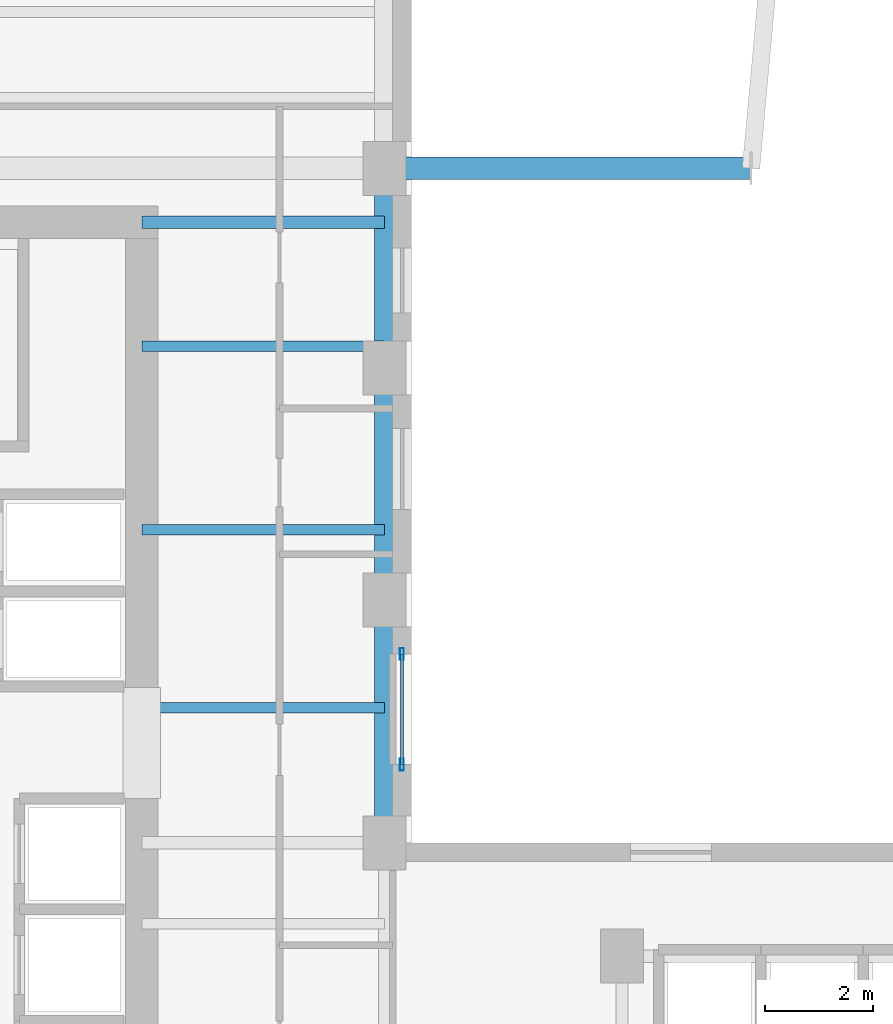
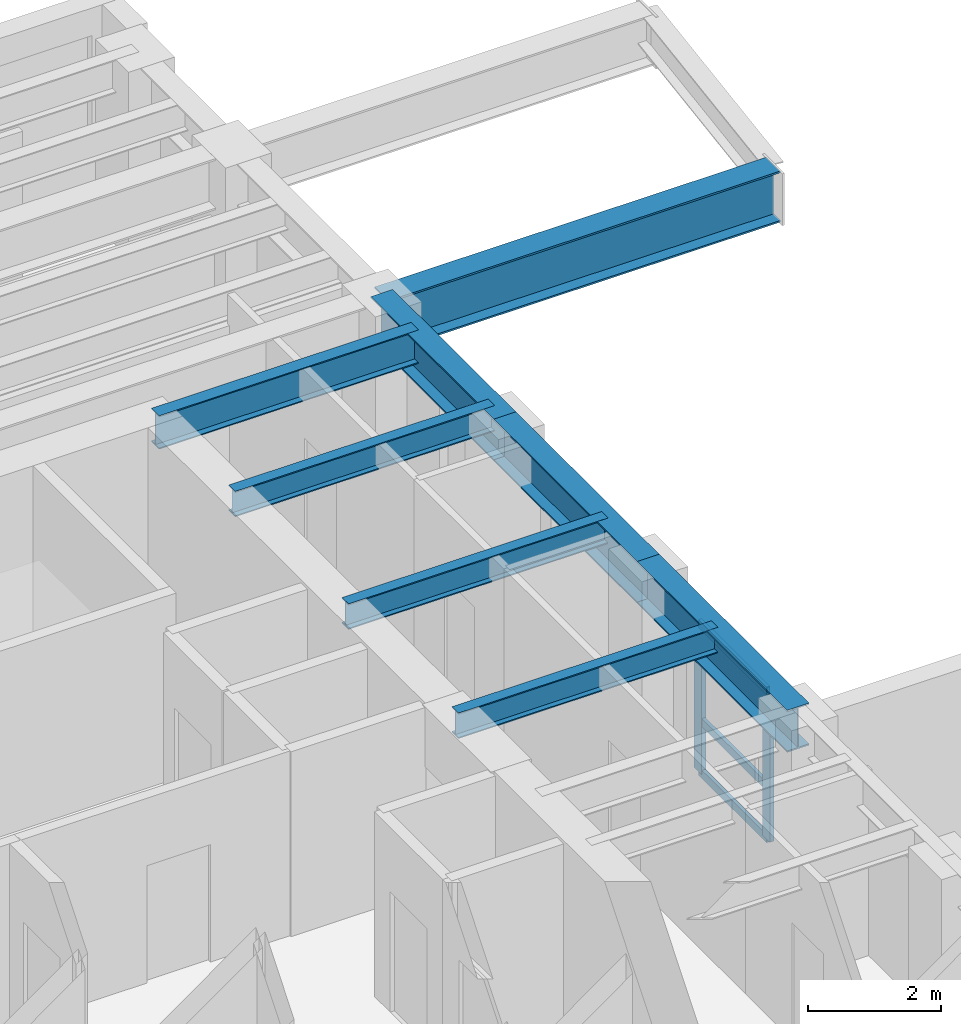
# One storey, part 2 of 14: 8 beams, 5 members, 1 element without a shape of its own.
"""IFC4 building model written with IfcOpenShell, lengths in metres."""

from ifc_helpers import new_model, si_unit, direction, frame, origin, origin_2d, place, context, subcontext, project, spatial, hollow_rectangle, i_section, extrude, source, transform, mapped, material, layer, layer_set, material_profile, profile_set, type_object, element, aggregate, save


model = new_model("IFC4")

# Units and contexts
model_context = context("Model", 3, precision=1e-05, world=origin(), true_north=direction((0.0, 1.0)))
body_context = subcontext(model_context, "Body", "Model", "MODEL_VIEW")
ifc_project = project(units=[si_unit("LENGTHUNIT", "METRE"), si_unit("AREAUNIT", "SQUARE_METRE"), si_unit("VOLUMEUNIT", "CUBIC_METRE"), si_unit("PLANEANGLEUNIT", "RADIAN"), si_unit("MASSUNIT", "GRAM", prefix="KILO")], contexts=[model_context])

# Site, building, storey
site_placement = place(None, origin())
site = spatial("IfcSite", under=ifc_project, at=site_placement, CompositionType="ELEMENT")
building_placement = place(site_placement, origin())
building = spatial("IfcBuilding", under=site, at=building_placement, Name="Kharzan Plaza Tower", CompositionType="ELEMENT")
storey_placement = place(building_placement, frame((0.0, 0.0, 168.300048828125)))
storey = spatial("IfcBuildingStorey", under=building, at=storey_placement, Name="L45", CompositionType="ELEMENT", Elevation=168.300048828125)

# Beams
ifc_material_1 = material(Name="Steel S355", Category="steel")
ifc_material_profile_1 = material_profile(ifc_material_1, i_section(OverallWidth=0.194091796875, OverallDepth=0.468994140625, WebThickness=0.011474609375, FlangeThickness=0.0205078125, at=origin_2d()), Name="W460x106")
ifc_profile_set_1 = profile_set([ifc_material_profile_1], Name="Steel S355")
beam_type_1 = type_object("IfcBeamType", Name="BM-JST460", PredefinedType="JOIST", material=ifc_profile_set_1)
shared_shape_1 = source(origin(), body_context, "Body", "SweptSolid", [
    extrude(i_section(OverallWidth=0.194091796875, OverallDepth=0.468994140625, WebThickness=0.011474609375, FlangeThickness=0.0205078125, at=origin_2d()), origin(), (0.0, 0.0, 1.0), 4.5),
])
for number, where, z_axis, x_axis, name in (
    (1, (14.5, 20.5, 3.16552734375), (1.0, 0.0, 0.0), (0.0, 1.0, 0.0), "L45 Wing A East Infill Joist 4"),
    (2, (14.5, 23.800048828125, 3.16552734375), (1.0, 0.0, 0.0), (0.0, 1.0, 0.0), "L45 Wing A East Infill Joist 5"),
    (3, (14.5, 27.199951171875, 3.16552734375), (1.0, 0.0, 0.0), (0.0, 1.0, 0.0), "L45 Wing A East Infill Joist 6"),
):
    element("IfcBeam", number, at=place(storey_placement, frame(where, z_axis=z_axis, x_axis=x_axis)), inside=storey, type_object=beam_type_1, Name=name, PredefinedType="JOIST", context=body_context, shape_type="MappedRepresentation", body=[
        mapped(shared_shape_1, transform((0.0, 0.0, 0.0), x_axis=(1.0, 0.0, 0.0), y_axis=(0.0, 1.0, 0.0), z_axis=(0.0, 0.0, 1.0))),
    ])
ifc_material_profile_2 = material_profile(ifc_material_1, i_section(OverallWidth=0.41796875, OverallDepth=0.93701171875, WebThickness=0.019287109375, FlangeThickness=0.031982421875, at=origin_2d()), Name="W920x342")
ifc_profile_set_2 = profile_set([ifc_material_profile_2], Name="Steel S355")
beam_type_2 = type_object("IfcBeamType", Name="BM-ZTG920", PredefinedType="BEAM", material=ifc_profile_set_2)
shared_shape_2 = source(origin(), body_context, "Body", "SweptSolid", [
    extrude(i_section(OverallWidth=0.41796875, OverallDepth=0.93701171875, WebThickness=0.019287109375, FlangeThickness=0.031982421875, at=origin_2d()), origin(), (0.0, 0.0, 1.0), 6.7900390625),
])
beam_1_placement = place(storey_placement, frame((19.0, 30.5, 2.91650390625), z_axis=(1.0, 0.0, 0.0), x_axis=(0.0, 1.0, 0.0)))
element("IfcBeam", 4, at=beam_1_placement, inside=storey, type_object=beam_type_2, Name="L45 Sky-Terrace Cantilever Girder ZTG1 (L46 G1)", PredefinedType="BEAM", context=body_context, shape_type="MappedRepresentation", body=[
    mapped(shared_shape_2, transform((0.0, 0.0, 0.0), x_axis=(1.0, 0.0, 0.0), y_axis=(0.0, 1.0, 0.0), z_axis=(0.0, 0.0, 1.0))),
])

# Curtain wall, members
ifc_material_2 = material(Name="Unitised Bronze-Anodized Aluminium and Low-E Glass", Category="aluminium")
ifc_layer = layer(ifc_material_2, 0.199951171875)
ifc_layer_set = layer_set([ifc_layer], Name="Unitised Bronze-Anodized Aluminium and Low-E Glass")
curtain_wall_type = type_object("IfcCurtainWallType", Name="CW-SLOT-3", PredefinedType="NOTDEFINED", material=ifc_layer_set)
curtain_wall_placement = place(storey_placement, origin())
curtain_wall = element("IfcCurtainWall", 5, at=curtain_wall_placement, inside=storey, type_object=curtain_wall_type, Name="L45 West Slot Recessed Spine Curtain Wall", PredefinedType="NOTDEFINED")
ifc_material_3 = material(Name="Anodized Bronze Aluminium", Category="aluminium")
ifc_material_profile_3 = material_profile(ifc_material_3, hollow_rectangle(XDim=0.074951171875, YDim=0.219970703125, WallThickness=0.00390625, at=origin_2d()), Name="ALU-M220x75x4")
ifc_profile_set_3 = profile_set([ifc_material_profile_3], Name="Anodized Bronze Aluminium")
member_type_1 = type_object("IfcMemberType", Name="MEM-CW-MUL200", PredefinedType="MULLION", material=ifc_profile_set_3)
shared_shape_3 = source(origin(), body_context, "Body", "SweptSolid", [
    extrude(hollow_rectangle(XDim=0.074951171875, YDim=0.219970703125, WallThickness=0.00390625, at=origin_2d()), origin(), (0.0, 0.0, 1.0), 2.699951171875),
])
member_1_placement = place(storey_placement, frame((19.320068359375, 19.449951171875, 0.0), z_axis=(0.0, 0.0, 1.0), x_axis=(1.0, 0.0, 0.0)))
member_1 = element("IfcMember", 6, at=member_1_placement, type_object=member_type_1, Name="L45 Curtain-Wall Mullion 00", PredefinedType="MULLION", context=body_context, shape_type="MappedRepresentation", body=[
    mapped(shared_shape_3, transform((0.0, 0.0, 0.0), x_axis=(1.0, 0.0, 0.0), y_axis=(0.0, 1.0, 0.0), z_axis=(0.0, 0.0, 1.0))),
])
member_2_placement = place(storey_placement, frame((19.320068359375, 21.5, 0.0), z_axis=(0.0, 0.0, 1.0), x_axis=(1.0, 0.0, 0.0)))
member_2 = element("IfcMember", 7, at=member_2_placement, type_object=member_type_1, Name="L45 Curtain-Wall Mullion 01", PredefinedType="MULLION", context=body_context, shape_type="MappedRepresentation", body=[
    mapped(shared_shape_3, transform((0.0, 0.0, 0.0), x_axis=(1.0, 0.0, 0.0), y_axis=(0.0, 1.0, 0.0), z_axis=(0.0, 0.0, 1.0))),
])
ifc_material_profile_4 = material_profile(ifc_material_3, hollow_rectangle(XDim=0.06005859375, YDim=0.14990234375, WallThickness=0.00341796875, at=origin_2d()), Name="ALU-T150x60x3.5")
ifc_profile_set_4 = profile_set([ifc_material_profile_4], Name="Anodized Bronze Aluminium")
member_type_2 = type_object("IfcMemberType", Name="MEM-CW-TRN150", PredefinedType="USERDEFINED", material=ifc_profile_set_4)
shared_shape_4 = source(origin(), body_context, "Body", "SweptSolid", [
    extrude(hollow_rectangle(XDim=0.06005859375, YDim=0.14990234375, WallThickness=0.00341796875, at=origin_2d()), origin(), (0.0, 0.0, 1.0), 2.050048828125),
])
member_3_placement = place(storey_placement, frame((19.320068359375, 19.449951171875, 0.0), z_axis=(0.0, 1.0, 0.0), x_axis=(-1.0, 0.0, 0.0)))
member_3 = element("IfcMember", 8, at=member_3_placement, type_object=member_type_2, Name="L45 Curtain-Wall Transom 1", ObjectType="TRANSOM", PredefinedType="USERDEFINED", context=body_context, shape_type="MappedRepresentation", body=[
    mapped(shared_shape_4, transform((0.0, 0.0, 0.0), x_axis=(1.0, 0.0, 0.0), y_axis=(0.0, 1.0, 0.0), z_axis=(0.0, 0.0, 1.0))),
])
member_4_placement = place(storey_placement, frame((19.320068359375, 19.449951171875, 0.949951171875), z_axis=(0.0, 1.0, 0.0), x_axis=(-1.0, 0.0, 0.0)))
member_4 = element("IfcMember", 9, at=member_4_placement, type_object=member_type_2, Name="L45 Curtain-Wall Transom 2", ObjectType="TRANSOM", PredefinedType="USERDEFINED", context=body_context, shape_type="MappedRepresentation", body=[
    mapped(shared_shape_4, transform((0.0, 0.0, 0.0), x_axis=(1.0, 0.0, 0.0), y_axis=(0.0, 1.0, 0.0), z_axis=(0.0, 0.0, 1.0))),
])
member_5_placement = place(storey_placement, frame((19.320068359375, 19.449951171875, 2.699951171875), z_axis=(0.0, 1.0, 0.0), x_axis=(-1.0, 0.0, 0.0)))
member_5 = element("IfcMember", 10, at=member_5_placement, type_object=member_type_2, Name="L45 Curtain-Wall Transom 3", ObjectType="TRANSOM", PredefinedType="USERDEFINED", context=body_context, shape_type="MappedRepresentation", body=[
    mapped(shared_shape_4, transform((0.0, 0.0, 0.0), x_axis=(1.0, 0.0, 0.0), y_axis=(0.0, 1.0, 0.0), z_axis=(0.0, 0.0, 1.0))),
])
aggregate(curtain_wall, [member_1, member_2, member_3, member_4, member_5])

# Beams
ifc_material_profile_5 = material_profile(ifc_material_1, i_section(OverallWidth=0.22900390625, OverallDepth=0.612060546875, WebThickness=0.011962890625, FlangeThickness=0.01953125, at=origin_2d()), Name="W610x125")
ifc_profile_set_5 = profile_set([ifc_material_profile_5], Name="Steel S355")
beam_type_3 = type_object("IfcBeamType", Name="BM-FG610B", PredefinedType="BEAM", material=ifc_profile_set_5)
shared_shape_5 = source(origin(), body_context, "Body", "SweptSolid", [
    extrude(i_section(OverallWidth=0.22900390625, OverallDepth=0.612060546875, WebThickness=0.011962890625, FlangeThickness=0.01953125, at=origin_2d()), origin(), (0.0, 0.0, 1.0), 4.5),
])
beam_2_placement = place(storey_placement, frame((14.5, 29.5, 3.093994140625), z_axis=(1.0, 0.0, 0.0), x_axis=(0.0, 1.0, 0.0)))
element("IfcBeam", 11, at=beam_2_placement, inside=storey, type_object=beam_type_3, Name="L45 Core-A East Floor Girder 3", PredefinedType="BEAM", context=body_context, shape_type="MappedRepresentation", body=[
    mapped(shared_shape_5, transform((0.0, 0.0, 0.0), x_axis=(1.0, 0.0, 0.0), y_axis=(0.0, 1.0, 0.0), z_axis=(0.0, 0.0, 1.0))),
])
ifc_material_profile_6 = material_profile(ifc_material_1, i_section(OverallWidth=0.381103515625, OverallDepth=0.77294921875, WebThickness=0.0166015625, FlangeThickness=0.027587890625, at=origin_2d()), Name="W760x257")
ifc_profile_set_6 = profile_set([ifc_material_profile_6], Name="Steel S355")
beam_type_4 = type_object("IfcBeamType", Name="BM-SP760A", PredefinedType="SPANDREL", material=ifc_profile_set_6)
shared_shape_6 = source(origin(), body_context, "Body", "SweptSolid", [
    extrude(i_section(OverallWidth=0.381103515625, OverallDepth=0.77294921875, WebThickness=0.0166015625, FlangeThickness=0.027587890625, at=origin_2d()), origin(), (0.0, 0.0, 1.0), 4.5),
])
beam_3_placement = place(storey_placement, frame((19.0, 18.0, 3.013427734375), z_axis=(0.0, 1.0, 0.0), x_axis=(-1.0, 0.0, 0.0)))
element("IfcBeam", 12, at=beam_3_placement, inside=storey, type_object=beam_type_4, Name="L45 Perimeter Tube Spandrel", PredefinedType="SPANDREL", context=body_context, shape_type="MappedRepresentation", body=[
    mapped(shared_shape_6, transform((0.0, 0.0, 0.0), x_axis=(1.0, 0.0, 0.0), y_axis=(0.0, 1.0, 0.0), z_axis=(0.0, 0.0, 1.0))),
])
shared_shape_7 = source(origin(), body_context, "Body", "SweptSolid", [
    extrude(i_section(OverallWidth=0.381103515625, OverallDepth=0.77294921875, WebThickness=0.0166015625, FlangeThickness=0.027587890625, at=origin_2d()), origin(), (0.0, 0.0, 1.0), 4.300048828125),
])
beam_4_placement = place(storey_placement, frame((19.0, 22.5, 3.013427734375), z_axis=(0.0, 1.0, 0.0), x_axis=(-1.0, 0.0, 0.0)))
element("IfcBeam", 13, at=beam_4_placement, inside=storey, type_object=beam_type_4, Name="L45 Perimeter Tube Spandrel", PredefinedType="SPANDREL", context=body_context, shape_type="MappedRepresentation", body=[
    mapped(shared_shape_7, transform((0.0, 0.0, 0.0), x_axis=(1.0, 0.0, 0.0), y_axis=(0.0, 1.0, 0.0), z_axis=(0.0, 0.0, 1.0))),
])
shared_shape_8 = source(origin(), body_context, "Body", "SweptSolid", [
    extrude(i_section(OverallWidth=0.381103515625, OverallDepth=0.77294921875, WebThickness=0.0166015625, FlangeThickness=0.027587890625, at=origin_2d()), origin(), (0.0, 0.0, 1.0), 3.699951171875),
])
beam_5_placement = place(storey_placement, frame((19.0, 26.800048828125, 3.013427734375), z_axis=(0.0, 1.0, 0.0), x_axis=(-1.0, 0.0, 0.0)))
element("IfcBeam", 14, at=beam_5_placement, inside=storey, type_object=beam_type_4, Name="L45 Perimeter Tube Spandrel", PredefinedType="SPANDREL", context=body_context, shape_type="MappedRepresentation", body=[
    mapped(shared_shape_8, transform((0.0, 0.0, 0.0), x_axis=(1.0, 0.0, 0.0), y_axis=(0.0, 1.0, 0.0), z_axis=(0.0, 0.0, 1.0))),
])

save(model, "model.ifc")
